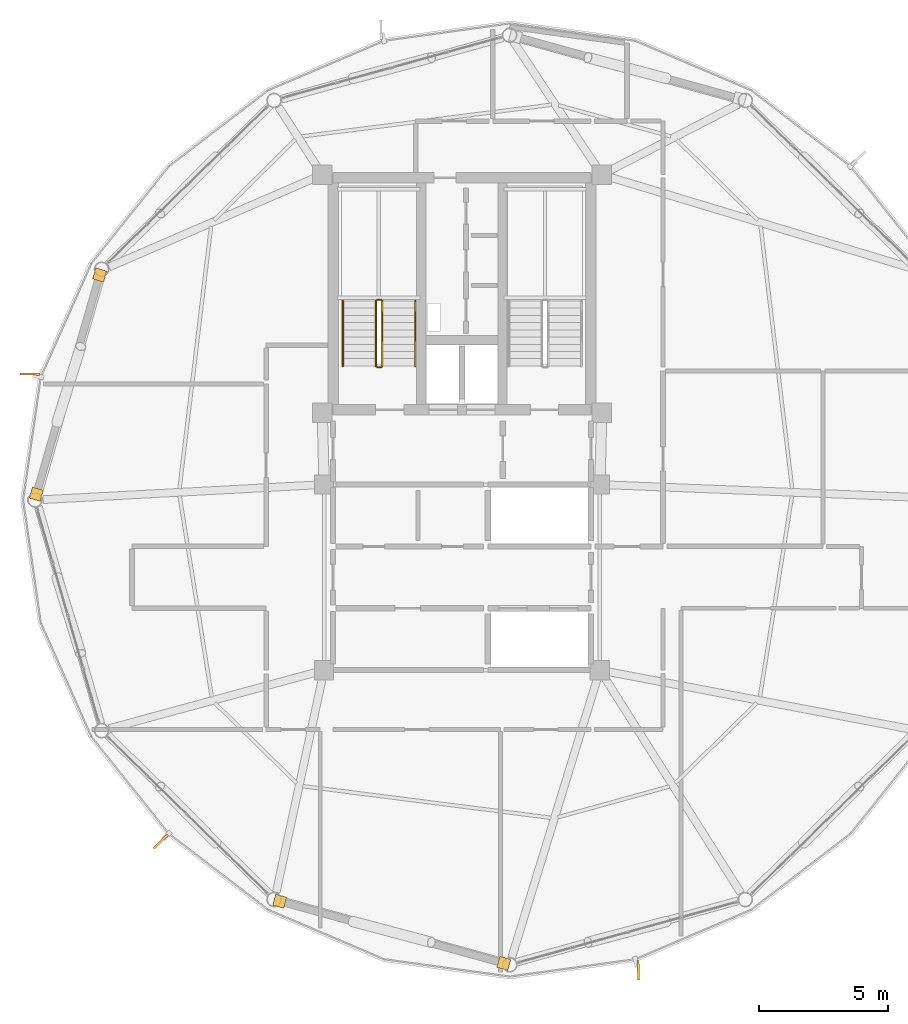
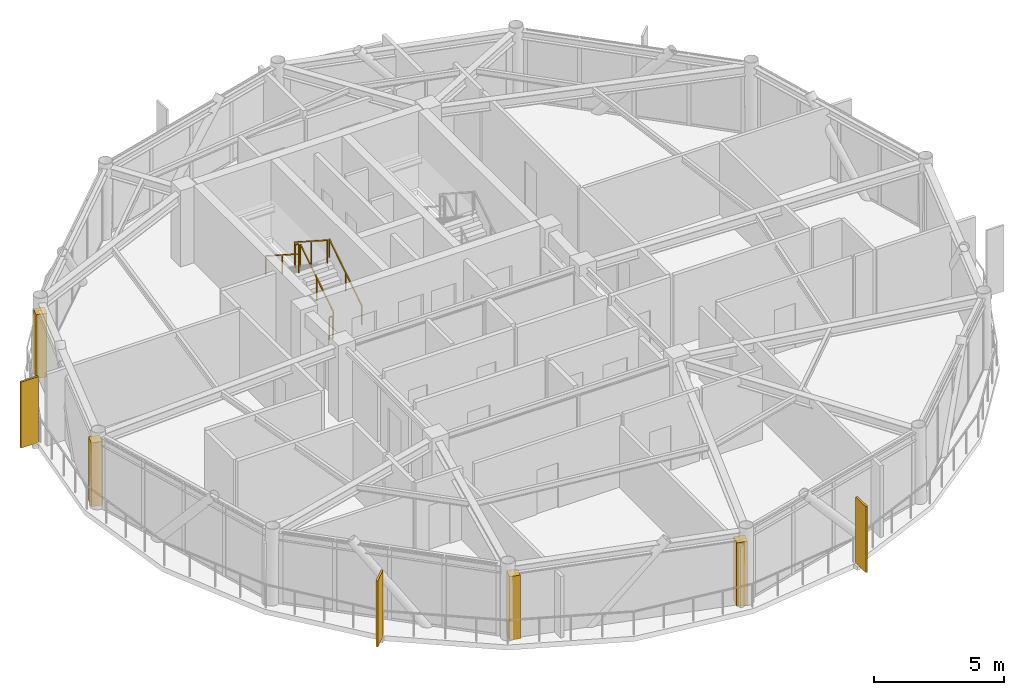
# One storey, part 23 of 25: 6 railings, 4 coverings, 3 shading devices.
"""IFC4 building model written with IfcOpenShell, lengths in metres."""

from ifc_helpers import new_model, si_unit, direction, frame, origin, origin_2d, place, context, subcontext, project, spatial, rectangle, extrude, source, transform, mapped, material, layer, layer_set, type_object, type_shapes, element, save


model = new_model("IFC4")

# Units and contexts
model_context = context("Model", 3, precision=1e-05, world=origin(), true_north=direction((0.0, 1.0)))
body_context = subcontext(model_context, "Body", "Model", "MODEL_VIEW")
ifc_project = project(units=[si_unit("LENGTHUNIT", "METRE"), si_unit("AREAUNIT", "SQUARE_METRE"), si_unit("VOLUMEUNIT", "CUBIC_METRE"), si_unit("PLANEANGLEUNIT", "RADIAN"), si_unit("MASSUNIT", "GRAM", prefix="KILO")], contexts=[model_context])

# Site, building, storey
site_placement = place(None, origin())
site = spatial("IfcSite", under=ifc_project, at=site_placement, CompositionType="ELEMENT")
building_placement = place(site_placement, origin())
building = spatial("IfcBuilding", under=site, at=building_placement, Name="Varnakorn Sky Granary", CompositionType="ELEMENT")
storey_placement = place(building_placement, frame((0.0, 0.0, 252.60009765625)))
storey = spatial("IfcBuildingStorey", under=building, at=storey_placement, Name="L64", CompositionType="ELEMENT", Elevation=252.60009765625)

# Railings
ifc_material_1 = material(Name="Brushed Stainless Steel 316", Category="steel")
railing_type_1 = type_object("IfcRailingType", Name="RL-STAIR-1100", PredefinedType="GUARDRAIL", material=ifc_material_1)
railing_1_placement = place(storey_placement, frame((-0.090087890625, 5.199951171875, 0.179931640625)))
element("IfcRailing", 1, at=railing_1_placement, inside=storey, type_object=railing_type_1, Name="L64 ST-1 stair guard 1", PredefinedType="GUARDRAIL", context=body_context, shape_type="SweptSolid", body=[
    extrude(rectangle(XDim=0.048095703125, YDim=0.048095703125, at=origin_2d()), frame((0.0, 0.0, 1.076171875), z_axis=(0.0, 0.841199657755, 0.540724639528), x_axis=(-1.0, 0.0, 0.0)), (0.0, 0.0, 1.0), 2.995849609375),
    extrude(rectangle(XDim=0.0419921875, YDim=0.0419921875, at=origin_2d()), origin(), (0.0, 0.0, 1.0), 1.048095703125),
    extrude(rectangle(XDim=0.0419921875, YDim=0.0419921875, at=origin_2d()), frame((0.0, 1.260009765625, 0.81005859375)), (0.0, 0.0, 1.0), 1.048095703125),
    extrude(rectangle(XDim=0.0419921875, YDim=0.0419921875, at=origin_2d()), frame((0.0, 2.52001953125, 1.619873046875)), (0.0, 0.0, 1.0), 1.048095703125),
])
railing_2_placement = place(storey_placement, frame((-0.139892578125, 7.77001953125, 1.7998046875)))
element("IfcRailing", 2, at=railing_2_placement, inside=storey, type_object=railing_type_1, Name="L64 ST-1 stair guard 2", PredefinedType="GUARDRAIL", context=body_context, shape_type="SweptSolid", body=[
    extrude(rectangle(XDim=0.048095703125, YDim=0.048095703125, at=origin_2d()), frame((0.0, 0.0, 1.076171875), z_axis=(-1.0, 0.0, 0.0), x_axis=(0.0, -1.0, 0.0)), (0.0, 0.0, 1.0), 0.150146484375),
    extrude(rectangle(XDim=0.0419921875, YDim=0.0419921875, at=origin_2d()), origin(), (0.0, 0.0, 1.0), 1.048095703125),
    extrude(rectangle(XDim=0.0419921875, YDim=0.0419921875, at=origin_2d()), frame((-0.150146484375, 0.0, 0.0)), (0.0, 0.0, 1.0), 1.048095703125),
])
railing_3_placement = place(storey_placement, frame((-0.340087890625, 7.719970703125, 1.97998046875)))
element("IfcRailing", 3, at=railing_3_placement, inside=storey, type_object=railing_type_1, Name="L64 ST-1 stair guard 3", PredefinedType="GUARDRAIL", context=body_context, shape_type="SweptSolid", body=[
    extrude(rectangle(XDim=0.048095703125, YDim=0.048095703125, at=origin_2d()), frame((0.0, 0.0, 1.076171875), z_axis=(0.0, -0.841199657755, 0.540724639528), x_axis=(1.0, 0.0, 0.0)), (0.0, 0.0, 1.0), 2.995849609375),
    extrude(rectangle(XDim=0.0419921875, YDim=0.0419921875, at=origin_2d()), origin(), (0.0, 0.0, 1.0), 1.048095703125),
    extrude(rectangle(XDim=0.0419921875, YDim=0.0419921875, at=origin_2d()), frame((0.0, -1.260009765625, 0.81005859375)), (0.0, 0.0, 1.0), 1.048095703125),
    extrude(rectangle(XDim=0.0419921875, YDim=0.0419921875, at=origin_2d()), frame((0.0, -2.52001953125, 1.619873046875)), (0.0, 0.0, 1.0), 1.048095703125),
])
railing_4_placement = place(storey_placement, frame((-0.139892578125, 5.14990234375, 0.0)))
element("IfcRailing", 4, at=railing_4_placement, inside=storey, type_object=railing_type_1, Name="L64 ST-1 stair guard 4", PredefinedType="GUARDRAIL", context=body_context, shape_type="SweptSolid", body=[
    extrude(rectangle(XDim=0.048095703125, YDim=0.048095703125, at=origin_2d()), frame((0.0, 0.0, 1.076171875), z_axis=(-1.0, 0.0, 0.0), x_axis=(0.0, -1.0, 0.0)), (0.0, 0.0, 1.0), 0.150146484375),
    extrude(rectangle(XDim=0.0419921875, YDim=0.0419921875, at=origin_2d()), origin(), (0.0, 0.0, 1.0), 1.048095703125),
    extrude(rectangle(XDim=0.0419921875, YDim=0.0419921875, at=origin_2d()), frame((-0.150146484375, 0.0, 0.0)), (0.0, 0.0, 1.0), 1.048095703125),
])
railing_type_2 = type_object("IfcRailingType", Name="RL-STAIR-920", PredefinedType="HANDRAIL", material=ifc_material_1)
railing_5_placement = place(storey_placement, frame((1.18994140625, 5.199951171875, 0.179931640625)))
element("IfcRailing", 5, at=railing_5_placement, inside=storey, type_object=railing_type_2, Name="L64 ST-1 stair handrail 1", PredefinedType="HANDRAIL", context=body_context, shape_type="SweptSolid", body=[
    extrude(rectangle(XDim=0.048095703125, YDim=0.048095703125, at=origin_2d()), frame((0.0, 0.0, 0.8759765625), z_axis=(0.0, 0.841199657755, 0.540724639528), x_axis=(-1.0, 0.0, 0.0)), (0.0, 0.0, 1.0), 2.995849609375),
    extrude(rectangle(XDim=0.0419921875, YDim=0.0419921875, at=origin_2d()), origin(), (0.0, 0.0, 1.0), 0.847900390625),
    extrude(rectangle(XDim=0.0419921875, YDim=0.0419921875, at=origin_2d()), frame((0.0, 1.260009765625, 0.81005859375)), (0.0, 0.0, 1.0), 0.847900390625),
    extrude(rectangle(XDim=0.0419921875, YDim=0.0419921875, at=origin_2d()), frame((0.0, 2.52001953125, 1.619873046875)), (0.0, 0.0, 1.0), 0.847900390625),
])
railing_6_placement = place(storey_placement, frame((-1.6201171875, 7.719970703125, 1.97998046875)))
element("IfcRailing", 6, at=railing_6_placement, inside=storey, type_object=railing_type_2, Name="L64 ST-1 stair handrail 2", PredefinedType="HANDRAIL", context=body_context, shape_type="SweptSolid", body=[
    extrude(rectangle(XDim=0.048095703125, YDim=0.048095703125, at=origin_2d()), frame((0.0, 0.0, 0.8759765625), z_axis=(0.0, -0.841199657755, 0.540724639528), x_axis=(1.0, 0.0, 0.0)), (0.0, 0.0, 1.0), 2.995849609375),
    extrude(rectangle(XDim=0.0419921875, YDim=0.0419921875, at=origin_2d()), origin(), (0.0, 0.0, 1.0), 0.847900390625),
    extrude(rectangle(XDim=0.0419921875, YDim=0.0419921875, at=origin_2d()), frame((0.0, -1.260009765625, 0.81005859375)), (0.0, 0.0, 1.0), 0.847900390625),
    extrude(rectangle(XDim=0.0419921875, YDim=0.0419921875, at=origin_2d()), frame((0.0, -2.52001953125, 1.619873046875)), (0.0, 0.0, 1.0), 0.847900390625),
])

# Coverings
ifc_material_2 = material(Name="Anodised Bronze Aluminium Alloy 6063-T6", Category="aluminium")
ifc_layer = layer(ifc_material_2, 0.050048828125, Name="Anodised Bronze Aluminium Alloy 6063-T6")
ifc_layer_set = layer_set([ifc_layer], Name="Anodised Bronze Aluminium Alloy 6063-T6")
covering_type = type_object("IfcCoveringType", Name="CV-CLAD-50", PredefinedType="CLADDING", material=ifc_layer_set)
shared_shape_1 = source(origin(), body_context, "Body", "SweptSolid", [
    extrude(rectangle(XDim=0.43994140625, YDim=0.43994140625, at=origin_2d()), origin(), (0.0, 0.0, 1.0), 2.989990234375),
])
type_shapes(covering_type, [shared_shape_1])
for number, where, z_axis, x_axis, name in (
    (7, (-13.511962890625, 0.225341796875, -0.02001953125), (0.0, 0.0, 1.0), (0.277482336674, 0.960730738987, 0.0), "Bronze Corner Pilaster Closure L64-P06-A"),
    (8, (-11.056396484375, 8.726806640625, -0.02001953125), (0.0, 0.0, 1.0), (0.277482336674, 0.960730738987, 0.0), "Bronze Corner Pilaster Closure L64-P06-B"),
    (9, (4.6240234375, -17.976318359375, -0.02001953125), (0.0, 0.0, 1.0), (-0.96372367829, 0.26690198932, 0.0), "Bronze Corner Pilaster Closure L64-P09-A"),
    (10, (-4.070068359375, -15.56787109375, -0.02001953125), (0.0, 0.0, 1.0), (-0.96372367829, 0.26690198932, 0.0), "Bronze Corner Pilaster Closure L64-P09-B"),
):
    element("IfcCovering", number, at=place(storey_placement, frame(where, z_axis=z_axis, x_axis=x_axis)), inside=storey, type_object=covering_type, Name=name, PredefinedType="CLADDING", context=body_context, shape_type="MappedRepresentation", body=[
        mapped(shared_shape_1, transform((0.0, 0.0, 0.0), x_axis=(1.0, 0.0, 0.0), y_axis=(0.0, 1.0, 0.0), z_axis=(0.0, 0.0, 1.0), scale=1.0)),
    ])

# Shading devices
shading_device_type = type_object("IfcShadingDeviceType", Name="SH-FIN-03", PredefinedType="USERDEFINED", material=ifc_material_2)
shared_shape_2 = source(origin(), body_context, "Body", "SweptSolid", [
    extrude(rectangle(XDim=0.0849609375, YDim=0.760009765625, at=origin_2d()), origin(), (0.0, 0.0, 1.0), 3.10009765625),
])
type_shapes(shading_device_type, [shared_shape_2])
for number, where, z_axis, x_axis, name in (
    (11, (-13.765869140625, 4.88525390625, -0.0400390625), (0.0, 0.0, 1.0), (-0.013367855975, -0.999910646221, 0.0), "Bronze Solar-Tracking Vertical Blade FIN L64-06"),
    (12, (-8.685302734375, -13.254150390625, -0.0400390625), (0.0, 0.0, 1.0), (0.703822981086, -0.710375401668, 0.0), "Bronze Solar-Tracking Vertical Blade FIN L64-08"),
    (13, (9.84033203125, -18.239990234375, -0.0400390625), (0.0, 0.0, 1.0), (0.999643618199, 0.026695254149, 0.0), "Bronze Solar-Tracking Vertical Blade FIN L64-10"),
):
    element("IfcShadingDevice", number, at=place(storey_placement, frame(where, z_axis=z_axis, x_axis=x_axis)), inside=storey, type_object=shading_device_type, Name=name, ObjectType="FIN", PredefinedType="USERDEFINED", context=body_context, shape_type="MappedRepresentation", body=[
        mapped(shared_shape_2, transform((0.0, 0.0, 0.0), x_axis=(1.0, 0.0, 0.0), y_axis=(0.0, 1.0, 0.0), z_axis=(0.0, 0.0, 1.0), scale=1.0)),
    ])

save(model, "model.ifc")
